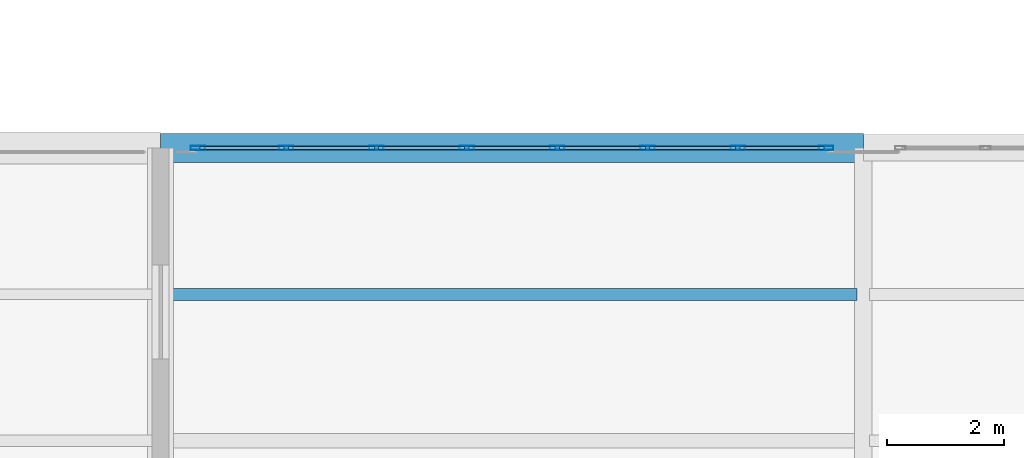
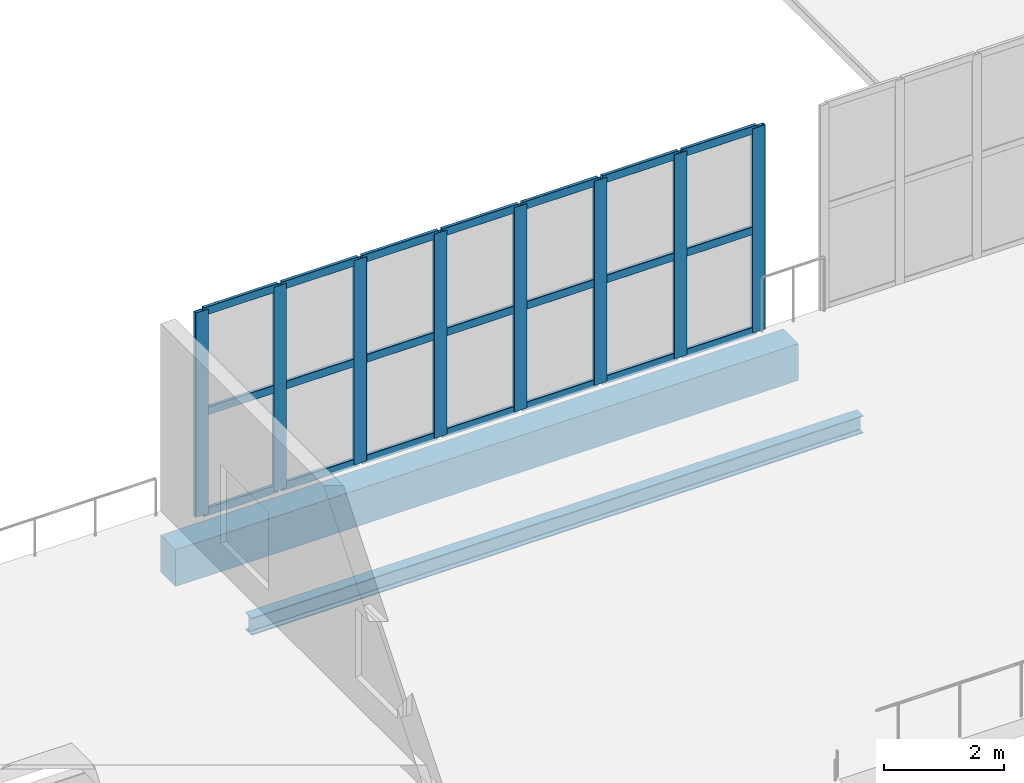
# One storey, part 10 of 90: 29 members, 2 beams, 1 element without a shape of its own.
"""IFC4 building model written with IfcOpenShell, lengths in metres."""

from ifc_helpers import new_model, si_unit, direction, frame, origin, origin_2d, place, context, subcontext, project, spatial, rectangle, hollow_rectangle, i_section, extrude, material, layer, layer_set, material_profile, profile_set, type_object, element, aggregate, save


model = new_model("IFC4")

# Units and contexts
model_context = context("Model", 3, precision=1e-05, world=origin(), true_north=direction((0.0, 1.0)))
body_context = subcontext(model_context, "Body", "Model", "MODEL_VIEW")
ifc_project = project(units=[si_unit("LENGTHUNIT", "METRE"), si_unit("AREAUNIT", "SQUARE_METRE"), si_unit("VOLUMEUNIT", "CUBIC_METRE"), si_unit("PLANEANGLEUNIT", "RADIAN"), si_unit("MASSUNIT", "GRAM", prefix="KILO")], contexts=[model_context])

# Site, building, storey
site_placement = place(None, origin())
site = spatial("IfcSite", under=ifc_project, at=site_placement, CompositionType="ELEMENT")
building_placement = place(site_placement, origin())
building = spatial("IfcBuilding", under=site, at=building_placement, Name="Brinegate Civic Arena", CompositionType="ELEMENT")
storey_placement = place(building_placement, frame((0.0, 0.0, 14.699951171875)))
storey = spatial("IfcBuildingStorey", under=building, at=storey_placement, Name="L03", CompositionType="ELEMENT", Elevation=14.699951171875)

# Curtain wall, members
ifc_material_1 = material(Name="Marine grade aluminium", Category="aluminium")
ifc_layer = layer(ifc_material_1, 0.18505859375, Name="Marine grade aluminium")
ifc_layer_set = layer_set([ifc_layer], Name="Marine grade aluminium")
curtain_wall_type = type_object("IfcCurtainWallType", Name="CW-WING-GLAZED-03", PredefinedType="USERDEFINED", material=ifc_layer_set)
curtain_wall_placement = place(storey_placement, origin())
curtain_wall = element("IfcCurtainWall", 1, at=curtain_wall_placement, inside=storey, type_object=curtain_wall_type, Name="Curtain Wall CWA-028", ObjectType="GLAZED CURTAIN WALL", PredefinedType="USERDEFINED")
ifc_material_profile_1 = material_profile(ifc_material_1, hollow_rectangle(XDim=0.074951171875, YDim=0.25, WallThickness=0.006103515625, InnerFilletRadius=0.00390625, OuterFilletRadius=0.008056640625, at=origin_2d()), Name="MUL75X250")
ifc_profile_set_1 = profile_set([ifc_material_profile_1], Name="Marine grade aluminium")
member_type_1 = type_object("IfcMemberType", Name="CW-MULLION-75X250", PredefinedType="MULLION", material=ifc_profile_set_1)
member_1_placement = place(storey_placement, frame((12.637451171875, 52.0, 0.0), z_axis=(0.0, 0.0, 1.0), x_axis=(0.0, 1.0, 0.0)))
member_1 = element("IfcMember", 2, at=member_1_placement, type_object=member_type_1, Name="CWA-028 mullion 1", PredefinedType="MULLION", context=body_context, shape_type="SweptSolid", body=[
    extrude(hollow_rectangle(XDim=0.074951171875, YDim=0.25, WallThickness=0.006103515625, InnerFilletRadius=0.00390625, OuterFilletRadius=0.008056640625, at=origin_2d()), origin(), (0.0, 0.0, 1.0), 4.16015625),
])
member_2_placement = place(storey_placement, frame((14.142822265625, 52.0, 0.0), z_axis=(0.0, 0.0, 1.0), x_axis=(0.0, 1.0, 0.0)))
member_2 = element("IfcMember", 3, at=member_2_placement, type_object=member_type_1, Name="CWA-028 mullion 2", PredefinedType="MULLION", context=body_context, shape_type="SweptSolid", body=[
    extrude(hollow_rectangle(XDim=0.074951171875, YDim=0.25, WallThickness=0.006103515625, InnerFilletRadius=0.00390625, OuterFilletRadius=0.008056640625, at=origin_2d()), origin(), (0.0, 0.0, 1.0), 4.16015625),
])
member_3_placement = place(storey_placement, frame((15.685791015625, 52.0, 0.0), z_axis=(0.0, 0.0, 1.0), x_axis=(0.0, 1.0, 0.0)))
member_3 = element("IfcMember", 4, at=member_3_placement, type_object=member_type_1, Name="CWA-028 mullion 3", PredefinedType="MULLION", context=body_context, shape_type="SweptSolid", body=[
    extrude(hollow_rectangle(XDim=0.074951171875, YDim=0.25, WallThickness=0.006103515625, InnerFilletRadius=0.00390625, OuterFilletRadius=0.008056640625, at=origin_2d()), origin(), (0.0, 0.0, 1.0), 4.16015625),
])
member_4_placement = place(storey_placement, frame((17.228515625, 52.0, 0.0), z_axis=(0.0, 0.0, 1.0), x_axis=(0.0, 1.0, 0.0)))
member_4 = element("IfcMember", 5, at=member_4_placement, type_object=member_type_1, Name="CWA-028 mullion 4", PredefinedType="MULLION", context=body_context, shape_type="SweptSolid", body=[
    extrude(hollow_rectangle(XDim=0.074951171875, YDim=0.25, WallThickness=0.006103515625, InnerFilletRadius=0.00390625, OuterFilletRadius=0.008056640625, at=origin_2d()), origin(), (0.0, 0.0, 1.0), 4.16015625),
])
member_5_placement = place(storey_placement, frame((18.771484375, 52.0, 0.0), z_axis=(0.0, 0.0, 1.0), x_axis=(0.0, 1.0, 0.0)))
member_5 = element("IfcMember", 6, at=member_5_placement, type_object=member_type_1, Name="CWA-028 mullion 5", PredefinedType="MULLION", context=body_context, shape_type="SweptSolid", body=[
    extrude(hollow_rectangle(XDim=0.074951171875, YDim=0.25, WallThickness=0.006103515625, InnerFilletRadius=0.00390625, OuterFilletRadius=0.008056640625, at=origin_2d()), origin(), (0.0, 0.0, 1.0), 4.16015625),
])
member_6_placement = place(storey_placement, frame((20.314208984375, 52.0, 0.0), z_axis=(0.0, 0.0, 1.0), x_axis=(0.0, 1.0, 0.0)))
member_6 = element("IfcMember", 7, at=member_6_placement, type_object=member_type_1, Name="CWA-028 mullion 6", PredefinedType="MULLION", context=body_context, shape_type="SweptSolid", body=[
    extrude(hollow_rectangle(XDim=0.074951171875, YDim=0.25, WallThickness=0.006103515625, InnerFilletRadius=0.00390625, OuterFilletRadius=0.008056640625, at=origin_2d()), origin(), (0.0, 0.0, 1.0), 4.16015625),
])
member_7_placement = place(storey_placement, frame((21.857177734375, 52.0, 0.0), z_axis=(0.0, 0.0, 1.0), x_axis=(0.0, 1.0, 0.0)))
member_7 = element("IfcMember", 8, at=member_7_placement, type_object=member_type_1, Name="CWA-028 mullion 7", PredefinedType="MULLION", context=body_context, shape_type="SweptSolid", body=[
    extrude(hollow_rectangle(XDim=0.074951171875, YDim=0.25, WallThickness=0.006103515625, InnerFilletRadius=0.00390625, OuterFilletRadius=0.008056640625, at=origin_2d()), origin(), (0.0, 0.0, 1.0), 4.16015625),
])
member_8_placement = place(storey_placement, frame((23.362548828125, 52.0, 0.0), z_axis=(0.0, 0.0, 1.0), x_axis=(0.0, 1.0, 0.0)))
member_8 = element("IfcMember", 9, at=member_8_placement, type_object=member_type_1, Name="CWA-028 mullion 8", PredefinedType="MULLION", context=body_context, shape_type="SweptSolid", body=[
    extrude(hollow_rectangle(XDim=0.074951171875, YDim=0.25, WallThickness=0.006103515625, InnerFilletRadius=0.00390625, OuterFilletRadius=0.008056640625, at=origin_2d()), origin(), (0.0, 0.0, 1.0), 4.16015625),
])
ifc_material_profile_2 = material_profile(ifc_material_1, hollow_rectangle(XDim=0.06494140625, YDim=0.1650390625, WallThickness=0.0048828125, InnerFilletRadius=0.00390625, OuterFilletRadius=0.008056640625, at=origin_2d()), Name="TRN65X165")
ifc_profile_set_2 = profile_set([ifc_material_profile_2], Name="Marine grade aluminium")
member_type_2 = type_object("IfcMemberType", Name="CW-TRANSOM-65X165", PredefinedType="USERDEFINED", material=ifc_profile_set_2)
member_9_placement = place(storey_placement, frame((12.675048828125, 52.0, 0.032470703125), z_axis=(1.0, 0.0, 0.0), x_axis=(0.0, 1.0, 0.0)))
member_9 = element("IfcMember", 10, at=member_9_placement, type_object=member_type_2, Name="CWA-028 transom 1.1", ObjectType="TRANSOM", PredefinedType="USERDEFINED", context=body_context, shape_type="SweptSolid", body=[
    extrude(hollow_rectangle(XDim=0.06494140625, YDim=0.1650390625, WallThickness=0.0048828125, InnerFilletRadius=0.00390625, OuterFilletRadius=0.008056640625, at=origin_2d()), origin(), (0.0, 0.0, 1.0), 1.430419921875),
])
member_10_placement = place(storey_placement, frame((12.675048828125, 52.0, 2.080078125), z_axis=(1.0, 0.0, 0.0), x_axis=(0.0, 1.0, 0.0)))
member_10 = element("IfcMember", 11, at=member_10_placement, type_object=member_type_2, Name="CWA-028 transom 1.2", ObjectType="TRANSOM", PredefinedType="USERDEFINED", context=body_context, shape_type="SweptSolid", body=[
    extrude(hollow_rectangle(XDim=0.06494140625, YDim=0.1650390625, WallThickness=0.0048828125, InnerFilletRadius=0.00390625, OuterFilletRadius=0.008056640625, at=origin_2d()), origin(), (0.0, 0.0, 1.0), 1.430419921875),
])
member_11_placement = place(storey_placement, frame((12.675048828125, 52.0, 4.12744140625), z_axis=(1.0, 0.0, 0.0), x_axis=(0.0, 1.0, 0.0)))
member_11 = element("IfcMember", 12, at=member_11_placement, type_object=member_type_2, Name="CWA-028 transom 1.3", ObjectType="TRANSOM", PredefinedType="USERDEFINED", context=body_context, shape_type="SweptSolid", body=[
    extrude(hollow_rectangle(XDim=0.06494140625, YDim=0.1650390625, WallThickness=0.0048828125, InnerFilletRadius=0.00390625, OuterFilletRadius=0.008056640625, at=origin_2d()), origin(), (0.0, 0.0, 1.0), 1.430419921875),
])
member_12_placement = place(storey_placement, frame((14.180419921875, 52.0, 0.032470703125), z_axis=(1.0, 0.0, 0.0), x_axis=(0.0, 1.0, 0.0)))
member_12 = element("IfcMember", 13, at=member_12_placement, type_object=member_type_2, Name="CWA-028 transom 2.1", ObjectType="TRANSOM", PredefinedType="USERDEFINED", context=body_context, shape_type="SweptSolid", body=[
    extrude(hollow_rectangle(XDim=0.06494140625, YDim=0.1650390625, WallThickness=0.0048828125, InnerFilletRadius=0.00390625, OuterFilletRadius=0.008056640625, at=origin_2d()), origin(), (0.0, 0.0, 1.0), 1.4677734375),
])
member_13_placement = place(storey_placement, frame((14.180419921875, 52.0, 2.080078125), z_axis=(1.0, 0.0, 0.0), x_axis=(0.0, 1.0, 0.0)))
member_13 = element("IfcMember", 14, at=member_13_placement, type_object=member_type_2, Name="CWA-028 transom 2.2", ObjectType="TRANSOM", PredefinedType="USERDEFINED", context=body_context, shape_type="SweptSolid", body=[
    extrude(hollow_rectangle(XDim=0.06494140625, YDim=0.1650390625, WallThickness=0.0048828125, InnerFilletRadius=0.00390625, OuterFilletRadius=0.008056640625, at=origin_2d()), origin(), (0.0, 0.0, 1.0), 1.4677734375),
])
member_14_placement = place(storey_placement, frame((14.180419921875, 52.0, 4.12744140625), z_axis=(1.0, 0.0, 0.0), x_axis=(0.0, 1.0, 0.0)))
member_14 = element("IfcMember", 15, at=member_14_placement, type_object=member_type_2, Name="CWA-028 transom 2.3", ObjectType="TRANSOM", PredefinedType="USERDEFINED", context=body_context, shape_type="SweptSolid", body=[
    extrude(hollow_rectangle(XDim=0.06494140625, YDim=0.1650390625, WallThickness=0.0048828125, InnerFilletRadius=0.00390625, OuterFilletRadius=0.008056640625, at=origin_2d()), origin(), (0.0, 0.0, 1.0), 1.4677734375),
])
member_15_placement = place(storey_placement, frame((15.72314453125, 52.0, 0.032470703125), z_axis=(1.0, 0.0, 0.0), x_axis=(0.0, 1.0, 0.0)))
member_15 = element("IfcMember", 16, at=member_15_placement, type_object=member_type_2, Name="CWA-028 transom 3.1", ObjectType="TRANSOM", PredefinedType="USERDEFINED", context=body_context, shape_type="SweptSolid", body=[
    extrude(hollow_rectangle(XDim=0.06494140625, YDim=0.1650390625, WallThickness=0.0048828125, InnerFilletRadius=0.00390625, OuterFilletRadius=0.008056640625, at=origin_2d()), origin(), (0.0, 0.0, 1.0), 1.468017578125),
])
member_16_placement = place(storey_placement, frame((15.72314453125, 52.0, 2.080078125), z_axis=(1.0, 0.0, 0.0), x_axis=(0.0, 1.0, 0.0)))
member_16 = element("IfcMember", 17, at=member_16_placement, type_object=member_type_2, Name="CWA-028 transom 3.2", ObjectType="TRANSOM", PredefinedType="USERDEFINED", context=body_context, shape_type="SweptSolid", body=[
    extrude(hollow_rectangle(XDim=0.06494140625, YDim=0.1650390625, WallThickness=0.0048828125, InnerFilletRadius=0.00390625, OuterFilletRadius=0.008056640625, at=origin_2d()), origin(), (0.0, 0.0, 1.0), 1.468017578125),
])
member_17_placement = place(storey_placement, frame((15.72314453125, 52.0, 4.12744140625), z_axis=(1.0, 0.0, 0.0), x_axis=(0.0, 1.0, 0.0)))
member_17 = element("IfcMember", 18, at=member_17_placement, type_object=member_type_2, Name="CWA-028 transom 3.3", ObjectType="TRANSOM", PredefinedType="USERDEFINED", context=body_context, shape_type="SweptSolid", body=[
    extrude(hollow_rectangle(XDim=0.06494140625, YDim=0.1650390625, WallThickness=0.0048828125, InnerFilletRadius=0.00390625, OuterFilletRadius=0.008056640625, at=origin_2d()), origin(), (0.0, 0.0, 1.0), 1.468017578125),
])
member_18_placement = place(storey_placement, frame((17.26611328125, 52.0, 0.032470703125), z_axis=(1.0, 0.0, 0.0), x_axis=(0.0, 1.0, 0.0)))
member_18 = element("IfcMember", 19, at=member_18_placement, type_object=member_type_2, Name="CWA-028 transom 4.1", ObjectType="TRANSOM", PredefinedType="USERDEFINED", context=body_context, shape_type="SweptSolid", body=[
    extrude(hollow_rectangle(XDim=0.06494140625, YDim=0.1650390625, WallThickness=0.0048828125, InnerFilletRadius=0.00390625, OuterFilletRadius=0.008056640625, at=origin_2d()), origin(), (0.0, 0.0, 1.0), 1.4677734375),
])
member_19_placement = place(storey_placement, frame((17.26611328125, 52.0, 2.080078125), z_axis=(1.0, 0.0, 0.0), x_axis=(0.0, 1.0, 0.0)))
member_19 = element("IfcMember", 20, at=member_19_placement, type_object=member_type_2, Name="CWA-028 transom 4.2", ObjectType="TRANSOM", PredefinedType="USERDEFINED", context=body_context, shape_type="SweptSolid", body=[
    extrude(hollow_rectangle(XDim=0.06494140625, YDim=0.1650390625, WallThickness=0.0048828125, InnerFilletRadius=0.00390625, OuterFilletRadius=0.008056640625, at=origin_2d()), origin(), (0.0, 0.0, 1.0), 1.4677734375),
])
member_20_placement = place(storey_placement, frame((17.26611328125, 52.0, 4.12744140625), z_axis=(1.0, 0.0, 0.0), x_axis=(0.0, 1.0, 0.0)))
member_20 = element("IfcMember", 21, at=member_20_placement, type_object=member_type_2, Name="CWA-028 transom 4.3", ObjectType="TRANSOM", PredefinedType="USERDEFINED", context=body_context, shape_type="SweptSolid", body=[
    extrude(hollow_rectangle(XDim=0.06494140625, YDim=0.1650390625, WallThickness=0.0048828125, InnerFilletRadius=0.00390625, OuterFilletRadius=0.008056640625, at=origin_2d()), origin(), (0.0, 0.0, 1.0), 1.4677734375),
])
member_21_placement = place(storey_placement, frame((18.808837890625, 52.0, 0.032470703125), z_axis=(1.0, 0.0, 0.0), x_axis=(0.0, 1.0, 0.0)))
member_21 = element("IfcMember", 22, at=member_21_placement, type_object=member_type_2, Name="CWA-028 transom 5.1", ObjectType="TRANSOM", PredefinedType="USERDEFINED", context=body_context, shape_type="SweptSolid", body=[
    extrude(hollow_rectangle(XDim=0.06494140625, YDim=0.1650390625, WallThickness=0.0048828125, InnerFilletRadius=0.00390625, OuterFilletRadius=0.008056640625, at=origin_2d()), origin(), (0.0, 0.0, 1.0), 1.468017578125),
])
member_22_placement = place(storey_placement, frame((18.808837890625, 52.0, 2.080078125), z_axis=(1.0, 0.0, 0.0), x_axis=(0.0, 1.0, 0.0)))
member_22 = element("IfcMember", 23, at=member_22_placement, type_object=member_type_2, Name="CWA-028 transom 5.2", ObjectType="TRANSOM", PredefinedType="USERDEFINED", context=body_context, shape_type="SweptSolid", body=[
    extrude(hollow_rectangle(XDim=0.06494140625, YDim=0.1650390625, WallThickness=0.0048828125, InnerFilletRadius=0.00390625, OuterFilletRadius=0.008056640625, at=origin_2d()), origin(), (0.0, 0.0, 1.0), 1.468017578125),
])
member_23_placement = place(storey_placement, frame((18.808837890625, 52.0, 4.12744140625), z_axis=(1.0, 0.0, 0.0), x_axis=(0.0, 1.0, 0.0)))
member_23 = element("IfcMember", 24, at=member_23_placement, type_object=member_type_2, Name="CWA-028 transom 5.3", ObjectType="TRANSOM", PredefinedType="USERDEFINED", context=body_context, shape_type="SweptSolid", body=[
    extrude(hollow_rectangle(XDim=0.06494140625, YDim=0.1650390625, WallThickness=0.0048828125, InnerFilletRadius=0.00390625, OuterFilletRadius=0.008056640625, at=origin_2d()), origin(), (0.0, 0.0, 1.0), 1.468017578125),
])
member_24_placement = place(storey_placement, frame((20.351806640625, 52.0, 0.032470703125), z_axis=(1.0, 0.0, 0.0), x_axis=(0.0, 1.0, 0.0)))
member_24 = element("IfcMember", 25, at=member_24_placement, type_object=member_type_2, Name="CWA-028 transom 6.1", ObjectType="TRANSOM", PredefinedType="USERDEFINED", context=body_context, shape_type="SweptSolid", body=[
    extrude(hollow_rectangle(XDim=0.06494140625, YDim=0.1650390625, WallThickness=0.0048828125, InnerFilletRadius=0.00390625, OuterFilletRadius=0.008056640625, at=origin_2d()), origin(), (0.0, 0.0, 1.0), 1.4677734375),
])
member_25_placement = place(storey_placement, frame((20.351806640625, 52.0, 2.080078125), z_axis=(1.0, 0.0, 0.0), x_axis=(0.0, 1.0, 0.0)))
member_25 = element("IfcMember", 26, at=member_25_placement, type_object=member_type_2, Name="CWA-028 transom 6.2", ObjectType="TRANSOM", PredefinedType="USERDEFINED", context=body_context, shape_type="SweptSolid", body=[
    extrude(hollow_rectangle(XDim=0.06494140625, YDim=0.1650390625, WallThickness=0.0048828125, InnerFilletRadius=0.00390625, OuterFilletRadius=0.008056640625, at=origin_2d()), origin(), (0.0, 0.0, 1.0), 1.4677734375),
])
member_26_placement = place(storey_placement, frame((20.351806640625, 52.0, 4.12744140625), z_axis=(1.0, 0.0, 0.0), x_axis=(0.0, 1.0, 0.0)))
member_26 = element("IfcMember", 27, at=member_26_placement, type_object=member_type_2, Name="CWA-028 transom 6.3", ObjectType="TRANSOM", PredefinedType="USERDEFINED", context=body_context, shape_type="SweptSolid", body=[
    extrude(hollow_rectangle(XDim=0.06494140625, YDim=0.1650390625, WallThickness=0.0048828125, InnerFilletRadius=0.00390625, OuterFilletRadius=0.008056640625, at=origin_2d()), origin(), (0.0, 0.0, 1.0), 1.4677734375),
])
member_27_placement = place(storey_placement, frame((21.89453125, 52.0, 0.032470703125), z_axis=(1.0, 0.0, 0.0), x_axis=(0.0, 1.0, 0.0)))
member_27 = element("IfcMember", 28, at=member_27_placement, type_object=member_type_2, Name="CWA-028 transom 7.1", ObjectType="TRANSOM", PredefinedType="USERDEFINED", context=body_context, shape_type="SweptSolid", body=[
    extrude(hollow_rectangle(XDim=0.06494140625, YDim=0.1650390625, WallThickness=0.0048828125, InnerFilletRadius=0.00390625, OuterFilletRadius=0.008056640625, at=origin_2d()), origin(), (0.0, 0.0, 1.0), 1.430419921875),
])
member_28_placement = place(storey_placement, frame((21.89453125, 52.0, 2.080078125), z_axis=(1.0, 0.0, 0.0), x_axis=(0.0, 1.0, 0.0)))
member_28 = element("IfcMember", 29, at=member_28_placement, type_object=member_type_2, Name="CWA-028 transom 7.2", ObjectType="TRANSOM", PredefinedType="USERDEFINED", context=body_context, shape_type="SweptSolid", body=[
    extrude(hollow_rectangle(XDim=0.06494140625, YDim=0.1650390625, WallThickness=0.0048828125, InnerFilletRadius=0.00390625, OuterFilletRadius=0.008056640625, at=origin_2d()), origin(), (0.0, 0.0, 1.0), 1.430419921875),
])
member_29_placement = place(storey_placement, frame((21.89453125, 52.0, 4.12744140625), z_axis=(1.0, 0.0, 0.0), x_axis=(0.0, 1.0, 0.0)))
member_29 = element("IfcMember", 30, at=member_29_placement, type_object=member_type_2, Name="CWA-028 transom 7.3", ObjectType="TRANSOM", PredefinedType="USERDEFINED", context=body_context, shape_type="SweptSolid", body=[
    extrude(hollow_rectangle(XDim=0.06494140625, YDim=0.1650390625, WallThickness=0.0048828125, InnerFilletRadius=0.00390625, OuterFilletRadius=0.008056640625, at=origin_2d()), origin(), (0.0, 0.0, 1.0), 1.430419921875),
])
aggregate(curtain_wall, [member_1, member_2, member_3, member_4, member_5, member_6, member_7, member_8, member_9, member_10, member_11, member_12, member_13, member_14, member_15, member_16, member_17, member_18, member_19, member_20, member_21, member_22, member_23, member_24, member_25, member_26, member_27, member_28, member_29])

# Beams
ifc_material_2 = material(Name="Steel S355", Category="steel")
ifc_material_profile_3 = material_profile(ifc_material_2, i_section(OverallWidth=0.205078125, OverallDepth=0.35400390625, WebThickness=0.009033203125, FlangeThickness=0.01708984375, FilletRadius=0.013916015625, at=origin_2d()), Name="W360X79")
ifc_profile_set_3 = profile_set([ifc_material_profile_3], Name="Steel S355")
beam_type_1 = type_object("IfcBeamType", Name="JOIST-W360X79", PredefinedType="JOIST", material=ifc_profile_set_3)
beam_1_placement = place(storey_placement, frame((12.10595703125, 49.5, -0.52685546875), z_axis=(1.0, 0.0, 0.0), x_axis=(0.0, 1.0, 0.0)))
element("IfcBeam", 31, at=beam_1_placement, inside=storey, type_object=beam_type_1, Name="Secondary Joist BM-L03-JX-01-04-3", PredefinedType="JOIST", context=body_context, shape_type="SweptSolid", body=[
    extrude(i_section(OverallWidth=0.205078125, OverallDepth=0.35400390625, WebThickness=0.009033203125, FlangeThickness=0.01708984375, FilletRadius=0.013916015625, at=origin_2d()), origin(), (0.0, 0.0, 1.0), 11.7880859375),
])
ifc_material_3 = material(Name="Concrete C50/60", Category="concrete")
ifc_material_profile_4 = material_profile(ifc_material_3, rectangle(XDim=0.5, YDim=0.75, at=origin_2d()), Name="RCB500X750")
ifc_profile_set_4 = profile_set([ifc_material_profile_4], Name="Concrete C50/60")
beam_type_2 = type_object("IfcBeamType", Name="RCG-500X750", PredefinedType="BEAM", material=ifc_profile_set_4)
beam_2_placement = place(storey_placement, frame((12.0, 52.0, -0.724853515625), z_axis=(1.0, 0.0, 0.0), x_axis=(0.0, 1.0, 0.0)))
element("IfcBeam", 32, at=beam_2_placement, inside=storey, type_object=beam_type_2, Name="Floor Girder BM-L03-GX-01-05", PredefinedType="BEAM", context=body_context, shape_type="SweptSolid", body=[
    extrude(rectangle(XDim=0.5, YDim=0.75, at=origin_2d()), origin(), (0.0, 0.0, 1.0), 12.0),
])

save(model, "model.ifc")
